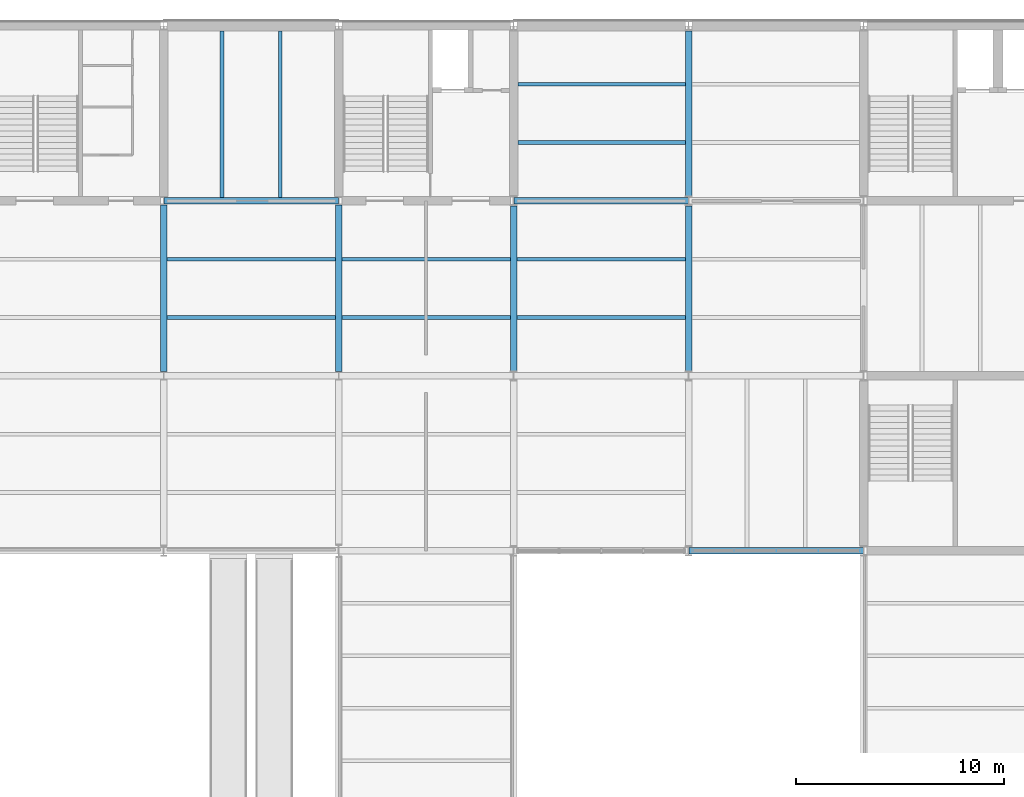
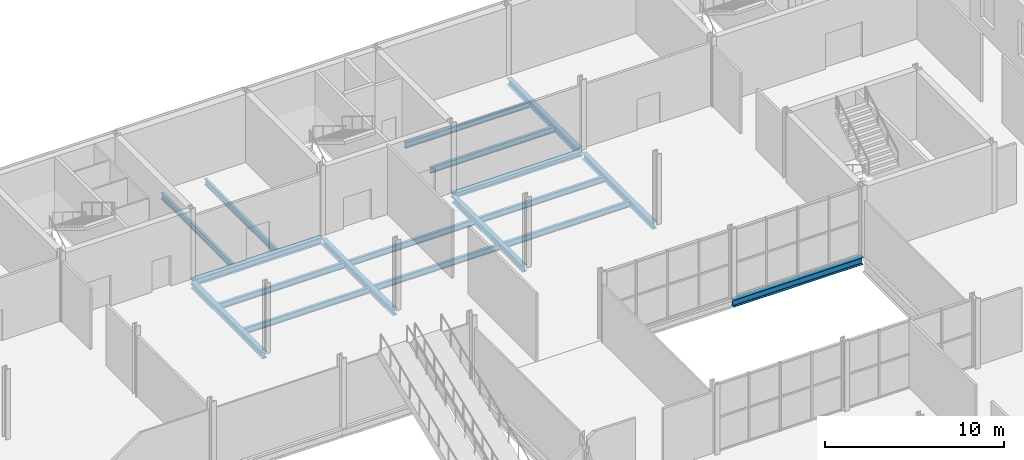
# One storey, part 23 of 57: 18 beams.
"""IFC4 building model written with IfcOpenShell, lengths in metres."""

from ifc_helpers import new_model, si_unit, direction, frame, origin, origin_2d, place, context, subcontext, project, spatial, i_section, extrude, material, material_profile, profile_set, type_object, element, save


model = new_model("IFC4")

# Units and contexts
model_context = context("Model", 3, precision=1e-05, world=origin(), true_north=direction((0.0, 1.0)))
body_context = subcontext(model_context, "Body", "Model", "MODEL_VIEW")
ifc_project = project(units=[si_unit("LENGTHUNIT", "METRE"), si_unit("AREAUNIT", "SQUARE_METRE"), si_unit("VOLUMEUNIT", "CUBIC_METRE"), si_unit("PLANEANGLEUNIT", "RADIAN"), si_unit("MASSUNIT", "GRAM", prefix="KILO")], contexts=[model_context])

# Site, building, storey
site_placement = place(None, origin())
site = spatial("IfcSite", under=ifc_project, at=site_placement, CompositionType="ELEMENT")
building_placement = place(site_placement, origin())
building = spatial("IfcBuilding", under=site, at=building_placement, Name="Galleria Vessillo Department Store", CompositionType="ELEMENT")
storey_placement = place(building_placement, frame((0.0, 0.0, 21.0)))
storey = spatial("IfcBuildingStorey", under=building, at=storey_placement, Name="L04", CompositionType="ELEMENT", Elevation=21.0)

# Beams
ifc_material_1 = material(Name="Steel S355 J2", Category="steel")
ifc_material_profile_1 = material_profile(ifc_material_1, i_section(OverallWidth=0.300048828125, OverallDepth=0.43994140625, WebThickness=0.011474609375, FlangeThickness=0.02099609375, FilletRadius=0.027099609375, at=origin_2d()), Name="HEA 450")
ifc_profile_set_1 = profile_set([ifc_material_profile_1], Name="Steel S355 J2")
beam_type_1 = type_object("IfcBeamType", Name="Floor girder HEA 450", PredefinedType="BEAM", material=ifc_profile_set_1)
beam_1_placement = place(storey_placement, frame((67.206787109375, 54.60009765625, -0.369873046875), z_axis=(1.0, 0.0, 0.0), x_axis=(0.0, 1.0, 0.0)))
element("IfcBeam", 1, at=beam_1_placement, inside=storey, type_object=beam_type_1, Name="S-BM-L04-GI-x54600-67207", PredefinedType="BEAM", context=body_context, shape_type="SweptSolid", body=[
    extrude(i_section(OverallWidth=0.300048828125, OverallDepth=0.43994140625, WebThickness=0.011474609375, FlangeThickness=0.02099609375, FilletRadius=0.027099609375, at=origin_2d()), origin(), (0.0, 0.0, 1.0), 8.38623046875),
])
for number, where, z_axis, x_axis, name in (
    (2, (67.199951171875, 46.400146484375, -0.369873046875), (0.0, 1.0, 0.0), (-1.0, 0.0, 0.0), "S-BM-L04-GI-y67200-46400"),
    (3, (75.60009765625, 46.400146484375, -0.369873046875), (0.0, 1.0, 0.0), (-1.0, 0.0, 0.0), "S-BM-L04-GI-y75600-46400"),
):
    element("IfcBeam", number, at=place(storey_placement, frame(where, z_axis=z_axis, x_axis=x_axis)), inside=storey, type_object=beam_type_1, Name=name, PredefinedType="BEAM", context=body_context, shape_type="SweptSolid", body=[
        extrude(i_section(OverallWidth=0.300048828125, OverallDepth=0.43994140625, WebThickness=0.011474609375, FlangeThickness=0.02099609375, FilletRadius=0.027099609375, at=origin_2d()), origin(), (0.0, 0.0, 1.0), 7.999755859375),
    ])
for number, where, z_axis, x_axis, name in (
    (4, (84.0, 46.439208984375, -0.369873046875), (0.0, 1.0, 0.0), (-1.0, 0.0, 0.0), "S-BM-L04-GI-y84000-46439"),
    (5, (92.39990234375, 46.439208984375, -0.369873046875), (0.0, 1.0, 0.0), (-1.0, 0.0, 0.0), "S-BM-L04-GI-y92400-46439"),
):
    element("IfcBeam", number, at=place(storey_placement, frame(where, z_axis=z_axis, x_axis=x_axis)), inside=storey, type_object=beam_type_1, Name=name, PredefinedType="BEAM", context=body_context, shape_type="SweptSolid", body=[
        extrude(i_section(OverallWidth=0.300048828125, OverallDepth=0.43994140625, WebThickness=0.011474609375, FlangeThickness=0.02099609375, FilletRadius=0.027099609375, at=origin_2d()), origin(), (0.0, 0.0, 1.0), 7.921630859375),
    ])
beam_2_placement = place(storey_placement, frame((92.39990234375, 54.839111328125, -0.369873046875), z_axis=(0.0, 1.0, 0.0), x_axis=(-1.0, 0.0, 0.0)))
element("IfcBeam", 6, at=beam_2_placement, inside=storey, type_object=beam_type_1, Name="S-BM-L04-GI-y92400-54839", PredefinedType="BEAM", context=body_context, shape_type="SweptSolid", body=[
    extrude(i_section(OverallWidth=0.300048828125, OverallDepth=0.43994140625, WebThickness=0.011474609375, FlangeThickness=0.02099609375, FilletRadius=0.027099609375, at=origin_2d()), origin(), (0.0, 0.0, 1.0), 7.921875),
])
ifc_material_2 = material(Name="Steel S355 J2", Category="steel")
ifc_material_profile_2 = material_profile(ifc_material_2, i_section(OverallWidth=0.179931640625, OverallDepth=0.39990234375, WebThickness=0.008544921875, FlangeThickness=0.013427734375, FilletRadius=0.02099609375, at=origin_2d()), Name="IPE 400")
ifc_profile_set_2 = profile_set([ifc_material_profile_2], Name="Steel S355 J2")
beam_type_2 = type_object("IfcBeamType", Name="Floor joist IPE 400", PredefinedType="JOIST", material=ifc_profile_set_2)
for number, where, z_axis, x_axis, name in (
    (7, (67.35009765625, 49.0, -0.349853515625), (1.0, 0.0, 0.0), (0.0, 1.0, 0.0), "S-BM-L04-JO-x49000-67350"),
    (8, (67.35009765625, 51.800048828125, -0.349853515625), (1.0, 0.0, 0.0), (0.0, 1.0, 0.0), "S-BM-L04-JO-x51800-67350"),
):
    element("IfcBeam", number, at=place(storey_placement, frame(where, z_axis=z_axis, x_axis=x_axis)), inside=storey, type_object=beam_type_2, Name=name, PredefinedType="JOIST", context=body_context, shape_type="SweptSolid", body=[
        extrude(i_section(OverallWidth=0.179931640625, OverallDepth=0.39990234375, WebThickness=0.008544921875, FlangeThickness=0.013427734375, FilletRadius=0.02099609375, at=origin_2d()), origin(), (0.0, 0.0, 1.0), 8.099853515625),
    ])
for number, where, z_axis, x_axis, name in (
    (9, (70.0, 54.750244140625, -0.349853515625), (0.0, 1.0, 0.0), (-1.0, 0.0, 0.0), "S-BM-L04-JO-y70000-54750"),
    (10, (72.800048828125, 54.750244140625, -0.349853515625), (0.0, 1.0, 0.0), (-1.0, 0.0, 0.0), "S-BM-L04-JO-y72800-54750"),
):
    element("IfcBeam", number, at=place(storey_placement, frame(where, z_axis=z_axis, x_axis=x_axis)), inside=storey, type_object=beam_type_2, Name=name, PredefinedType="JOIST", context=body_context, shape_type="SweptSolid", body=[
        extrude(i_section(OverallWidth=0.179931640625, OverallDepth=0.39990234375, WebThickness=0.008544921875, FlangeThickness=0.013427734375, FilletRadius=0.02099609375, at=origin_2d()), origin(), (0.0, 0.0, 1.0), 7.99951171875),
    ])
for number, where, z_axis, x_axis, name in (
    (11, (75.750244140625, 49.0, -0.349853515625), (1.0, 0.0, 0.0), (0.0, 1.0, 0.0), "S-BM-L04-JO-x49000-75750"),
    (12, (75.750244140625, 51.800048828125, -0.349853515625), (1.0, 0.0, 0.0), (0.0, 1.0, 0.0), "S-BM-L04-JO-x51800-75750"),
    (13, (84.150146484375, 49.0, -0.349853515625), (1.0, 0.0, 0.0), (0.0, 1.0, 0.0), "S-BM-L04-JO-x49000-84150"),
    (14, (84.150146484375, 51.800048828125, -0.349853515625), (1.0, 0.0, 0.0), (0.0, 1.0, 0.0), "S-BM-L04-JO-x51800-84150"),
):
    element("IfcBeam", number, at=place(storey_placement, frame(where, z_axis=z_axis, x_axis=x_axis)), inside=storey, type_object=beam_type_2, Name=name, PredefinedType="JOIST", context=body_context, shape_type="SweptSolid", body=[
        extrude(i_section(OverallWidth=0.179931640625, OverallDepth=0.39990234375, WebThickness=0.008544921875, FlangeThickness=0.013427734375, FilletRadius=0.02099609375, at=origin_2d()), origin(), (0.0, 0.0, 1.0), 8.099609375),
    ])
for number, where, z_axis, x_axis, name in (
    (15, (84.2001953125, 57.39990234375, -0.349853515625), (1.0, 0.0, 0.0), (0.0, 1.0, 0.0), "S-BM-L04-JO-x57400-84200"),
    (16, (84.2001953125, 60.199951171875, -0.349853515625), (1.0, 0.0, 0.0), (0.0, 1.0, 0.0), "S-BM-L04-JO-x60200-84200"),
):
    element("IfcBeam", number, at=place(storey_placement, frame(where, z_axis=z_axis, x_axis=x_axis)), inside=storey, type_object=beam_type_2, Name=name, PredefinedType="JOIST", context=body_context, shape_type="SweptSolid", body=[
        extrude(i_section(OverallWidth=0.179931640625, OverallDepth=0.39990234375, WebThickness=0.008544921875, FlangeThickness=0.013427734375, FilletRadius=0.02099609375, at=origin_2d()), origin(), (0.0, 0.0, 1.0), 8.049560546875),
    ])
ifc_material_3 = material(Name="Steel S355 J2", Category="steel")
ifc_material_profile_3 = material_profile(ifc_material_3, i_section(OverallWidth=0.300048828125, OverallDepth=0.330078125, WebThickness=0.009521484375, FlangeThickness=0.0166015625, FilletRadius=0.027099609375, at=origin_2d()), Name="HEA 340")
ifc_profile_set_3 = profile_set([ifc_material_profile_3], Name="Steel S355 J2")
beam_type_3 = type_object("IfcBeamType", Name="Floor tie girder HEA 340", PredefinedType="BEAM", material=ifc_profile_set_3)
beam_3_placement = place(storey_placement, frame((84.0107421875, 54.60009765625, -0.31494140625), z_axis=(1.0, 0.0, 0.0), x_axis=(0.0, 1.0, 0.0)))
element("IfcBeam", 17, at=beam_3_placement, inside=storey, type_object=beam_type_3, Name="S-BM-L04-TI-x54600-84011", PredefinedType="BEAM", context=body_context, shape_type="SweptSolid", body=[
    extrude(i_section(OverallWidth=0.300048828125, OverallDepth=0.330078125, WebThickness=0.009521484375, FlangeThickness=0.0166015625, FilletRadius=0.027099609375, at=origin_2d()), origin(), (0.0, 0.0, 1.0), 8.378662109375),
])
ifc_material_4 = material(Name="Steel S355 J2", Category="steel")
ifc_material_profile_4 = material_profile(ifc_material_4, i_section(OverallWidth=0.300048828125, OverallDepth=0.489990234375, WebThickness=0.011962890625, FlangeThickness=0.02294921875, FilletRadius=0.027099609375, at=origin_2d()), Name="HEA 500")
ifc_profile_set_4 = profile_set([ifc_material_profile_4], Name="Steel S355 J2")
beam_type_4 = type_object("IfcBeamType", Name="Trimmer beam HEA 500", PredefinedType="BEAM", material=ifc_profile_set_4)
beam_4_placement = place(storey_placement, frame((92.41064453125, 37.800048828125, -0.39501953125), z_axis=(1.0, 0.0, 0.0), x_axis=(0.0, 1.0, 0.0)))
element("IfcBeam", 18, at=beam_4_placement, inside=storey, type_object=beam_type_4, Name="S-BM-L04-TR-x37800-92411", PredefinedType="BEAM", context=body_context, shape_type="SweptSolid", body=[
    extrude(i_section(OverallWidth=0.300048828125, OverallDepth=0.489990234375, WebThickness=0.011962890625, FlangeThickness=0.02294921875, FilletRadius=0.027099609375, at=origin_2d()), origin(), (0.0, 0.0, 1.0), 8.378662109375),
])

save(model, "model.ifc")
